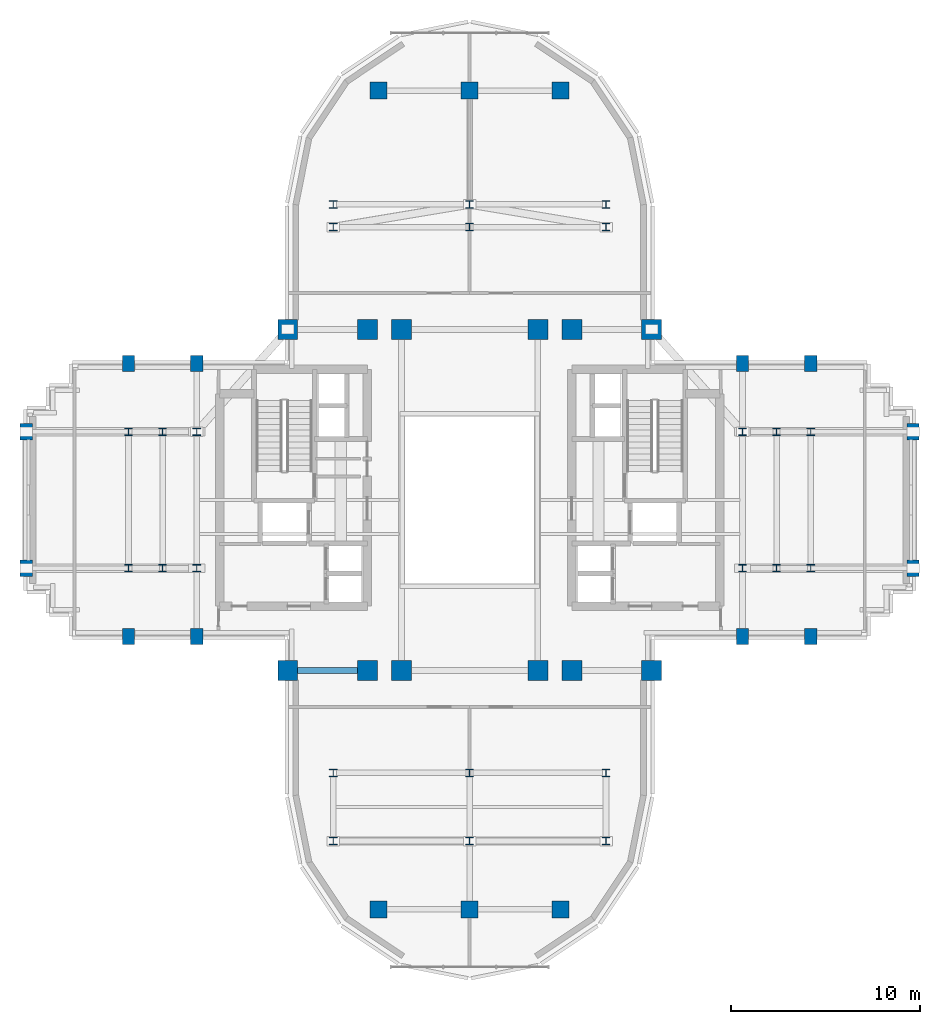
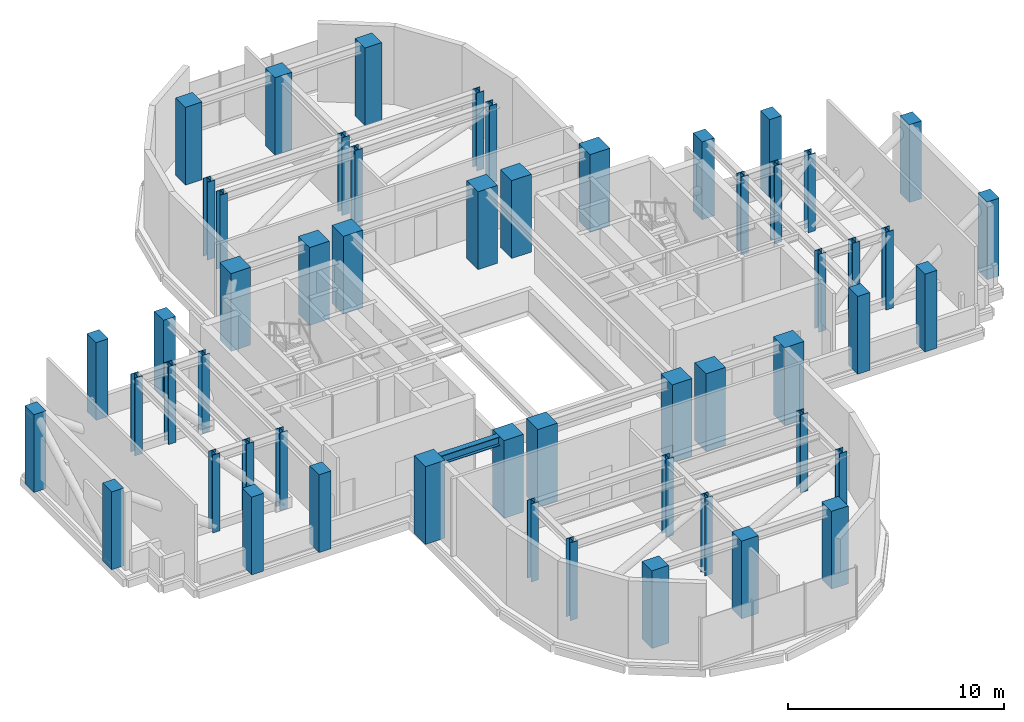
# One storey, part 1 of 11: 54 columns, 1 beam.
"""IFC4 building model written with IfcOpenShell, lengths in metres."""

from ifc_helpers import new_model, si_unit, direction, frame, origin, origin_2d, place, context, subcontext, project, spatial, rectangle, i_section, extrude, source, transform, mapped, material, material_profile, profile_set, type_object, element, save


model = new_model("IFC4")

# Units and contexts
model_context = context("Model", 3, precision=1e-05, world=origin(), true_north=direction((0.0, 1.0)))
body_context = subcontext(model_context, "Body", "Model", "MODEL_VIEW")
ifc_project = project(units=[si_unit("LENGTHUNIT", "METRE"), si_unit("AREAUNIT", "SQUARE_METRE"), si_unit("VOLUMEUNIT", "CUBIC_METRE"), si_unit("PLANEANGLEUNIT", "RADIAN"), si_unit("MASSUNIT", "GRAM", prefix="KILO")], contexts=[model_context])

# Site, building, storey
site_placement = place(None, origin())
site = spatial("IfcSite", under=ifc_project, at=site_placement, CompositionType="ELEMENT")
building_placement = place(site_placement, origin())
building = spatial("IfcBuilding", under=site, at=building_placement, Name="Keilestroom Media Tower", CompositionType="ELEMENT")
storey_placement = place(building_placement, frame((0.0, 0.0, 151.60009765625)))
storey = spatial("IfcBuildingStorey", under=building, at=storey_placement, Name="L41", CompositionType="ELEMENT", Elevation=151.60009765625)

# Columns
ifc_material_1 = material(Name="Precast concrete C40/50", Category="concrete")
ifc_material_profile_1 = material_profile(ifc_material_1, rectangle(XDim=0.64990234375, YDim=0.85009765625, at=origin_2d()), Name="PC 850x650")
ifc_profile_set_1 = profile_set([ifc_material_profile_1], Name="Precast concrete C40/50")
column_type_1 = type_object("IfcColumnType", Name="Structural-Column-PC-850x650", PredefinedType="COLUMN", material=ifc_profile_set_1)
shared_shape_1 = source(origin(), body_context, "Body", "SweptSolid", [
    extrude(rectangle(XDim=0.64990234375, YDim=0.85009765625, at=origin_2d()), origin(), (0.0, 0.0, 1.0), 4.39990234375),
])
for number, where, z_axis, x_axis, name in (
    (1, (-23.39990234375, -3.60009765625, 0.0), (0.0, 0.0, 1.0), (1.0, 0.0, 0.0), "L41 Column PC-2 (-23.4,-3.6)"),
    (2, (-23.39990234375, 3.60009765625, 0.0), (0.0, 0.0, 1.0), (1.0, 0.0, 0.0), "L41 Column PC-2 (-23.4,+3.6)"),
    (3, (-18.0, -7.199951171875, 0.0), (0.0, 0.0, 1.0), (1.0, 0.0, 0.0), "L41 Column PC-2 (-18.0,-7.2)"),
    (4, (-18.0, 7.199951171875, 0.0), (0.0, 0.0, 1.0), (1.0, 0.0, 0.0), "L41 Column PC-2 (-18.0,+7.2)"),
    (5, (-14.39990234375, -7.199951171875, 0.0), (0.0, 0.0, 1.0), (1.0, 0.0, 0.0), "L41 Column PC-2 (-14.4,-7.2)"),
    (6, (-14.39990234375, 7.199951171875, 0.0), (0.0, 0.0, 1.0), (1.0, 0.0, 0.0), "L41 Column PC-2 (-14.4,+7.2)"),
    (7, (14.39990234375, -7.199951171875, 0.0), (0.0, 0.0, 1.0), (1.0, 0.0, 0.0), "L41 Column PC-2 (+14.4,-7.2)"),
    (8, (14.39990234375, 7.199951171875, 0.0), (0.0, 0.0, 1.0), (1.0, 0.0, 0.0), "L41 Column PC-2 (+14.4,+7.2)"),
    (9, (18.0, -7.199951171875, 0.0), (0.0, 0.0, 1.0), (1.0, 0.0, 0.0), "L41 Column PC-2 (+18.0,-7.2)"),
    (10, (18.0, 7.199951171875, 0.0), (0.0, 0.0, 1.0), (1.0, 0.0, 0.0), "L41 Column PC-2 (+18.0,+7.2)"),
    (11, (23.39990234375, -3.60009765625, 0.0), (0.0, 0.0, 1.0), (1.0, 0.0, 0.0), "L41 Column PC-2 (+23.4,-3.6)"),
    (12, (23.39990234375, 3.60009765625, 0.0), (0.0, 0.0, 1.0), (1.0, 0.0, 0.0), "L41 Column PC-2 (+23.4,+3.6)"),
):
    element("IfcColumn", number, at=place(storey_placement, frame(where, z_axis=z_axis, x_axis=x_axis)), inside=storey, type_object=column_type_1, Name=name, PredefinedType="COLUMN", context=body_context, shape_type="MappedRepresentation", body=[
        mapped(shared_shape_1, transform((0.0, 0.0, 0.0), x_axis=(1.0, 0.0, 0.0), y_axis=(0.0, 1.0, 0.0), z_axis=(0.0, 0.0, 1.0), scale=1.0)),
    ])
ifc_material_2 = material(Name="Steel S355", Category="steel")
ifc_material_profile_2 = material_profile(ifc_material_2, i_section(OverallWidth=0.40087890625, OverallDepth=0.39892578125, WebThickness=0.02001953125, FlangeThickness=0.031982421875, at=origin_2d()), Name="HD 400x314")
ifc_profile_set_2 = profile_set([ifc_material_profile_2], Name="Steel S355")
column_type_2 = type_object("IfcColumnType", Name="Structural-Column-HD-400x314", PredefinedType="COLUMN", material=ifc_profile_set_2)
shared_shape_2 = source(origin(), body_context, "Body", "SweptSolid", [
    extrude(i_section(OverallWidth=0.40087890625, OverallDepth=0.39892578125, WebThickness=0.02001953125, FlangeThickness=0.031982421875, at=origin_2d()), origin(), (0.0, 0.0, 1.0), 4.39990234375),
])
for number, where, z_axis, x_axis, name in (
    (13, (-18.0, -3.60009765625, 0.0), (0.0, 0.0, 1.0), (1.0, 0.0, 0.0), "L41 Column SC-3 (-18.0,-3.6)"),
    (14, (-18.0, 3.60009765625, 0.0), (0.0, 0.0, 1.0), (1.0, 0.0, 0.0), "L41 Column SC-3 (-18.0,+3.6)"),
    (15, (-16.199951171875, -3.60009765625, 0.0), (0.0, 0.0, 1.0), (1.0, 0.0, 0.0), "L41 Column SC-3 (-16.2,-3.6)"),
    (16, (-16.199951171875, 3.60009765625, 0.0), (0.0, 0.0, 1.0), (1.0, 0.0, 0.0), "L41 Column SC-3 (-16.2,+3.6)"),
    (17, (-14.39990234375, -3.60009765625, 0.0), (0.0, 0.0, 1.0), (1.0, 0.0, 0.0), "L41 Column SC-3 (-14.4,-3.6)"),
    (18, (-14.39990234375, 3.60009765625, 0.0), (0.0, 0.0, 1.0), (1.0, 0.0, 0.0), "L41 Column SC-3 (-14.4,+3.6)"),
    (19, (-7.199951171875, -18.0, 0.0), (0.0, 0.0, 1.0), (1.0, 0.0, 0.0), "L41 Column SC-3 (-7.2,-18.0)"),
    (20, (-7.199951171875, -14.39990234375, 0.0), (0.0, 0.0, 1.0), (1.0, 0.0, 0.0), "L41 Column SC-3 (-7.2,-14.4)"),
    (21, (-7.199951171875, 14.39990234375, 0.0), (0.0, 0.0, 1.0), (1.0, 0.0, 0.0), "L41 Column SC-3 (-7.2,+14.4)"),
    (22, (-7.199951171875, 15.60009765625, 0.0), (0.0, 0.0, 1.0), (1.0, 0.0, 0.0), "L41 Column SC-3 (-7.2,+15.6)"),
    (23, (0.0, -18.0, 0.0), (0.0, 0.0, 1.0), (1.0, 0.0, 0.0), "L41 Column SC-3 (+0.0,-18.0)"),
    (24, (0.0, -14.39990234375, 0.0), (0.0, 0.0, 1.0), (1.0, 0.0, 0.0), "L41 Column SC-3 (+0.0,-14.4)"),
    (25, (0.0, 14.39990234375, 0.0), (0.0, 0.0, 1.0), (1.0, 0.0, 0.0), "L41 Column SC-3 (+0.0,+14.4)"),
    (26, (0.0, 15.60009765625, 0.0), (0.0, 0.0, 1.0), (1.0, 0.0, 0.0), "L41 Column SC-3 (+0.0,+15.6)"),
    (27, (7.199951171875, -18.0, 0.0), (0.0, 0.0, 1.0), (1.0, 0.0, 0.0), "L41 Column SC-3 (+7.2,-18.0)"),
    (28, (7.199951171875, -14.39990234375, 0.0), (0.0, 0.0, 1.0), (1.0, 0.0, 0.0), "L41 Column SC-3 (+7.2,-14.4)"),
    (29, (7.199951171875, 14.39990234375, 0.0), (0.0, 0.0, 1.0), (1.0, 0.0, 0.0), "L41 Column SC-3 (+7.2,+14.4)"),
    (30, (7.199951171875, 15.60009765625, 0.0), (0.0, 0.0, 1.0), (1.0, 0.0, 0.0), "L41 Column SC-3 (+7.2,+15.6)"),
    (31, (14.39990234375, -3.60009765625, 0.0), (0.0, 0.0, 1.0), (1.0, 0.0, 0.0), "L41 Column SC-3 (+14.4,-3.6)"),
    (32, (14.39990234375, 3.60009765625, 0.0), (0.0, 0.0, 1.0), (1.0, 0.0, 0.0), "L41 Column SC-3 (+14.4,+3.6)"),
    (33, (16.199951171875, -3.60009765625, 0.0), (0.0, 0.0, 1.0), (1.0, 0.0, 0.0), "L41 Column SC-3 (+16.2,-3.6)"),
    (34, (16.199951171875, 3.60009765625, 0.0), (0.0, 0.0, 1.0), (1.0, 0.0, 0.0), "L41 Column SC-3 (+16.2,+3.6)"),
    (35, (18.0, -3.60009765625, 0.0), (0.0, 0.0, 1.0), (1.0, 0.0, 0.0), "L41 Column SC-3 (+18.0,-3.6)"),
    (36, (18.0, 3.60009765625, 0.0), (0.0, 0.0, 1.0), (1.0, 0.0, 0.0), "L41 Column SC-3 (+18.0,+3.6)"),
):
    element("IfcColumn", number, at=place(storey_placement, frame(where, z_axis=z_axis, x_axis=x_axis)), inside=storey, type_object=column_type_2, Name=name, PredefinedType="COLUMN", context=body_context, shape_type="MappedRepresentation", body=[
        mapped(shared_shape_2, transform((0.0, 0.0, 0.0), x_axis=(1.0, 0.0, 0.0), y_axis=(0.0, 1.0, 0.0), z_axis=(0.0, 0.0, 1.0), scale=1.0)),
    ])
ifc_material_3 = material(Name="Concrete C55/67", Category="concrete")
ifc_material_profile_3 = material_profile(ifc_material_3, rectangle(XDim=1.050048828125, YDim=1.050048828125, at=origin_2d()), Name="RC 1050x1050")
ifc_profile_set_3 = profile_set([ifc_material_profile_3], Name="Concrete C55/67")
column_type_3 = type_object("IfcColumnType", Name="Structural-Column-RC-1050x1050", PredefinedType="COLUMN", material=ifc_profile_set_3)
shared_shape_3 = source(origin(), body_context, "Body", "SweptSolid", [
    extrude(rectangle(XDim=1.050048828125, YDim=1.050048828125, at=origin_2d()), origin(), (0.0, 0.0, 1.0), 4.39990234375),
])
for number, where, z_axis, x_axis, name in (
    (37, (-9.60009765625, -9.0, 0.0), (0.0, 0.0, 1.0), (1.0, 0.0, 0.0), "L41 Column MC-3 (-9.6,-9.0)"),
    (38, (-9.60009765625, 9.0, 0.0), (0.0, 0.0, 1.0), (1.0, 0.0, 0.0), "L41 Column MC-3 (-9.6,+9.0)"),
    (39, (-5.39990234375, -9.0, 0.0), (0.0, 0.0, 1.0), (1.0, 0.0, 0.0), "L41 Column MC-3 (-5.4,-9.0)"),
    (40, (-5.39990234375, 9.0, 0.0), (0.0, 0.0, 1.0), (1.0, 0.0, 0.0), "L41 Column MC-3 (-5.4,+9.0)"),
    (41, (-3.60009765625, -9.0, 0.0), (0.0, 0.0, 1.0), (1.0, 0.0, 0.0), "L41 Column MC-3 (-3.6,-9.0)"),
    (42, (-3.60009765625, 9.0, 0.0), (0.0, 0.0, 1.0), (1.0, 0.0, 0.0), "L41 Column MC-3 (-3.6,+9.0)"),
    (43, (3.60009765625, -9.0, 0.0), (0.0, 0.0, 1.0), (1.0, 0.0, 0.0), "L41 Column MC-3 (+3.6,-9.0)"),
    (44, (3.60009765625, 9.0, 0.0), (0.0, 0.0, 1.0), (1.0, 0.0, 0.0), "L41 Column MC-3 (+3.6,+9.0)"),
    (45, (5.39990234375, -9.0, 0.0), (0.0, 0.0, 1.0), (1.0, 0.0, 0.0), "L41 Column MC-3 (+5.4,-9.0)"),
    (46, (5.39990234375, 9.0, 0.0), (0.0, 0.0, 1.0), (1.0, 0.0, 0.0), "L41 Column MC-3 (+5.4,+9.0)"),
    (47, (9.60009765625, -9.0, 0.0), (0.0, 0.0, 1.0), (1.0, 0.0, 0.0), "L41 Column MC-3 (+9.6,-9.0)"),
    (48, (9.60009765625, 9.0, 0.0), (0.0, 0.0, 1.0), (1.0, 0.0, 0.0), "L41 Column MC-3 (+9.6,+9.0)"),
):
    element("IfcColumn", number, at=place(storey_placement, frame(where, z_axis=z_axis, x_axis=x_axis)), inside=storey, type_object=column_type_3, Name=name, PredefinedType="COLUMN", context=body_context, shape_type="MappedRepresentation", body=[
        mapped(shared_shape_3, transform((0.0, 0.0, 0.0), x_axis=(1.0, 0.0, 0.0), y_axis=(0.0, 1.0, 0.0), z_axis=(0.0, 0.0, 1.0), scale=1.0)),
    ])
ifc_material_profile_4 = material_profile(ifc_material_3, rectangle(XDim=0.89990234375, YDim=0.89990234375, at=origin_2d()), Name="RC 900x900")
ifc_profile_set_4 = profile_set([ifc_material_profile_4], Name="Concrete C55/67")
column_type_4 = type_object("IfcColumnType", Name="Structural-Column-RC-900x900", PredefinedType="COLUMN", material=ifc_profile_set_4)
shared_shape_4 = source(origin(), body_context, "Body", "SweptSolid", [
    extrude(rectangle(XDim=0.89990234375, YDim=0.89990234375, at=origin_2d()), origin(), (0.0, 0.0, 1.0), 4.39990234375),
])
for number, where, z_axis, x_axis, name in (
    (49, (-4.800048828125, -21.60009765625, 0.0), (0.0, 0.0, 1.0), (1.0, 0.0, 0.0), "L41 Column MC-4 (-4.8,-21.6)"),
    (50, (-4.800048828125, 21.60009765625, 0.0), (0.0, 0.0, 1.0), (1.0, 0.0, 0.0), "L41 Column MC-4 (-4.8,+21.6)"),
    (51, (0.0, -21.60009765625, 0.0), (0.0, 0.0, 1.0), (1.0, 0.0, 0.0), "L41 Column MC-4 (+0.0,-21.6)"),
    (52, (0.0, 21.60009765625, 0.0), (0.0, 0.0, 1.0), (1.0, 0.0, 0.0), "L41 Column MC-4 (+0.0,+21.6)"),
    (53, (4.800048828125, -21.60009765625, 0.0), (0.0, 0.0, 1.0), (1.0, 0.0, 0.0), "L41 Column MC-4 (+4.8,-21.6)"),
    (54, (4.800048828125, 21.60009765625, 0.0), (0.0, 0.0, 1.0), (1.0, 0.0, 0.0), "L41 Column MC-4 (+4.8,+21.6)"),
):
    element("IfcColumn", number, at=place(storey_placement, frame(where, z_axis=z_axis, x_axis=x_axis)), inside=storey, type_object=column_type_4, Name=name, PredefinedType="COLUMN", context=body_context, shape_type="MappedRepresentation", body=[
        mapped(shared_shape_4, transform((0.0, 0.0, 0.0), x_axis=(1.0, 0.0, 0.0), y_axis=(0.0, 1.0, 0.0), z_axis=(0.0, 0.0, 1.0), scale=1.0)),
    ])

# Beam
ifc_material_profile_5 = material_profile(ifc_material_2, i_section(OverallWidth=0.300048828125, OverallDepth=0.5, WebThickness=0.012451171875, FlangeThickness=0.028076171875, at=origin_2d()), Name="HEB 500")
ifc_profile_set_5 = profile_set([ifc_material_profile_5], Name="Steel S355")
beam_type = type_object("IfcBeamType", Name="Primary-Structural-Girder-HEB-500", PredefinedType="BEAM", material=ifc_profile_set_5)
shared_shape_5 = source(origin(), body_context, "Body", "SweptSolid", [
    extrude(i_section(OverallWidth=0.300048828125, OverallDepth=0.5, WebThickness=0.012451171875, FlangeThickness=0.028076171875, at=origin_2d()), origin(), (0.0, 0.0, 1.0), 3.18994140625),
])
beam_placement = place(storey_placement, frame((-9.094970703125, -9.0, 4.14990234375), z_axis=(1.0, 0.0, 0.0), x_axis=(0.0, 1.0, 0.0)))
element("IfcBeam", 55, at=beam_placement, inside=storey, type_object=beam_type, Name="L41 Beam BG-6 BM-L41-EW-007", PredefinedType="BEAM", context=body_context, shape_type="MappedRepresentation", body=[
    mapped(shared_shape_5, transform((0.0, 0.0, 0.0), x_axis=(1.0, 0.0, 0.0), y_axis=(0.0, 1.0, 0.0), z_axis=(0.0, 0.0, 1.0), scale=1.0)),
])

save(model, "model.ifc")
